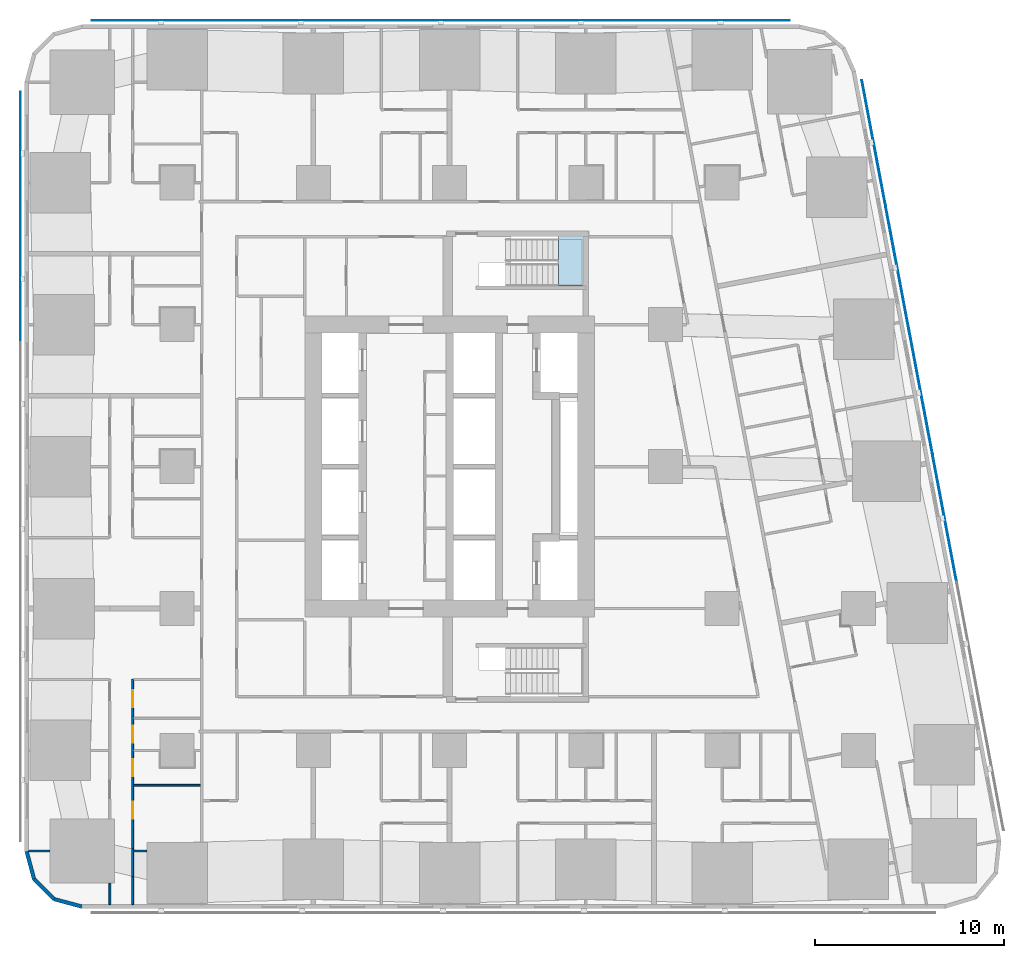
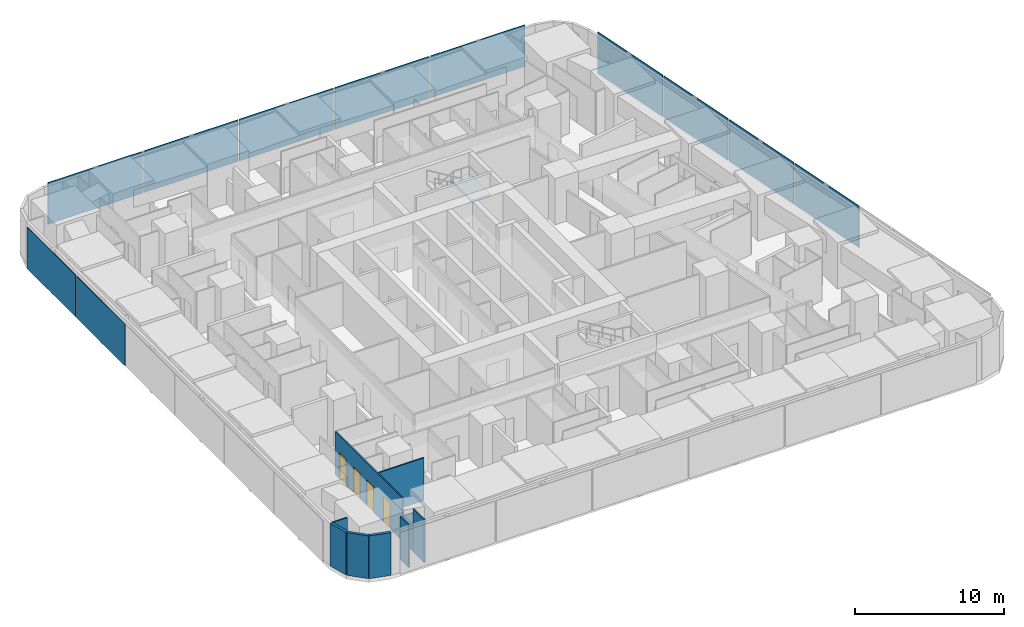
# One storey, part 2 of 18: 11 plates, 10 walls, 4 doors, 1 slab, 4 openings, 1 element without a shape of its own.
"""IFC4 building model written with IfcOpenShell, lengths in metres."""

import ifcopenshell
import ifcopenshell.guid

model = None  # the IFC model being written
_history = None  # IfcOwnerHistory: only IFC2X3 demands one
_inside = {}  # id of a spatial element -> (the spatial element, [elements in it])
_under = {}  # id of a project, library or spatial element -> (it, [spatial elements below it])
_declared = {}  # id of a project -> (the project, [libraries it declares])
_typed = {}  # id of a type object -> (the type object, [elements of that type])
_made_of = {}  # id of a material, layer set ... -> (it, [elements and type objects made of it])


def new_model(schema):
    """Start an empty IFC model of exactly this schema.

    Asked for "IFC4X3", IfcOpenShell would pick the latest addendum, in which some entities
    have other attributes; the version numbers below select the first issue.
    IFC2X3 requires an IfcOwnerHistory on every rooted entity: one is made here for all.
    """
    global model, _history
    if schema == "IFC4X3":
        model = ifcopenshell.file(schema_version=(4, 3, 0, 0))
    else:
        model = ifcopenshell.file(schema=schema)
    _inside.clear()
    _under.clear()
    _declared.clear()
    _typed.clear()
    _made_of.clear()
    _history = None
    if model.schema == "IFC2X3":
        org = make("IfcOrganization", Name="unknown")
        user = make(
            "IfcPersonAndOrganization",
            ThePerson=make("IfcPerson", FamilyName="unknown"),
            TheOrganization=org,
        )
        app = make(
            "IfcApplication",
            ApplicationDeveloper=org,
            Version="unknown",
            ApplicationFullName="unknown",
            ApplicationIdentifier="unknown",
        )
        _history = make(
            "IfcOwnerHistory",
            OwningUser=user,
            OwningApplication=app,
            ChangeAction="ADDED",
            CreationDate=0,
        )
    return model


def make(cls, **values):
    """One entity of the class cls with the attributes given. An attribute that is None is left unset."""
    return model.create_entity(
        cls, **{name: value for name, value in values.items() if value is not None}
    )


def rooted(cls, **values):
    """An entity with a GlobalId (a new one), such as an element, a storey or a relation."""
    return make(cls, GlobalId=ifcopenshell.guid.new(), OwnerHistory=_history, **values)


def si_unit(unit_type, name, prefix=None):
    """IfcSIUnit, for example si_unit("LENGTHUNIT", "METRE", prefix="MILLI")."""
    return make("IfcSIUnit", UnitType=unit_type, Prefix=prefix, Name=name)


def assignment(units):
    """IfcUnitAssignment: the units of a project."""
    return None if units is None else make("IfcUnitAssignment", Units=units)


def point(xyz):
    """IfcCartesianPoint."""
    return None if xyz is None else make("IfcCartesianPoint", Coordinates=xyz)


def direction(xyz):
    """IfcDirection."""
    return None if xyz is None else make("IfcDirection", DirectionRatios=xyz)


def frame(location, z_axis=None, x_axis=None):
    """IfcAxis2Placement3D, a coordinate frame: its origin and axes. An axis left out is left unset."""
    return make(
        "IfcAxis2Placement3D",
        Location=point(location),
        Axis=direction(z_axis),
        RefDirection=direction(x_axis),
    )


def frame_2d(location, x_axis=None):
    """IfcAxis2Placement2D, a coordinate frame in the plane: its origin and x axis."""
    return make(
        "IfcAxis2Placement2D", Location=point(location), RefDirection=direction(x_axis)
    )


def origin():
    """The frame at (0, 0, 0) with its axes left unset."""
    return frame((0.0, 0.0, 0.0))


def origin_2d():
    """The frame at (0, 0) in the plane with its x axis left unset."""
    return frame_2d((0.0, 0.0))


def place(relative_to, where):
    """IfcLocalPlacement: puts the frame where relative to a parent placement (None: the world)."""
    return make(
        "IfcLocalPlacement", PlacementRelTo=relative_to, RelativePlacement=where
    )


def context(
    kind, dimensions, precision=None, world=None, true_north=None, identifier=None
):
    """IfcGeometricRepresentationContext, for example the 3D "Model" context."""
    return make(
        "IfcGeometricRepresentationContext",
        ContextIdentifier=identifier,
        ContextType=kind,
        CoordinateSpaceDimension=dimensions,
        Precision=precision,
        WorldCoordinateSystem=world,
        TrueNorth=true_north,
    )


def subcontext(parent, identifier, kind, view, scale=None):
    """IfcGeometricRepresentationSubContext, for example "Body" below "Model"."""
    return make(
        "IfcGeometricRepresentationSubContext",
        ContextIdentifier=identifier,
        ContextType=kind,
        ParentContext=parent,
        TargetScale=scale,
        TargetView=view,
    )


def project(units=None, contexts=None):
    """IfcProject with its units and contexts."""
    return rooted(
        "IfcProject",
        Name="project",
        RepresentationContexts=contexts,
        UnitsInContext=assignment(units),
    )


def spatial(cls, under=None, at=None, **own):
    """A site, building, storey or space (cls), placed at a placement, below another one or the project."""
    s = rooted(cls, ObjectPlacement=at, **own)
    if under is not None:
        _under.setdefault(under.id(), (under, []))[1].append(s)
    return s


def polyline(points):
    """IfcPolyline through the points."""
    return make("IfcPolyline", Points=[point(p) for p in points])


def profile(cls, at=None, kind="AREA", **sizes):
    """A parametric profile (cls). Its sizes go by their IFC names, for example OverallWidth=200.0."""
    return make(cls, ProfileType=kind, Position=at, **sizes)


def rectangle(**sizes):
    """IfcRectangleProfileDef."""
    return profile("IfcRectangleProfileDef", **sizes)


def outline(outer, holes=None, kind="AREA"):
    """IfcArbitraryClosedProfileDef: a profile drawn as a closed curve; with holes, ...WithVoids."""
    if holes is None:
        return make("IfcArbitraryClosedProfileDef", ProfileType=kind, OuterCurve=outer)
    return make(
        "IfcArbitraryProfileDefWithVoids",
        ProfileType=kind,
        OuterCurve=outer,
        InnerCurves=holes,
    )


def extrude(swept, where, along, depth):
    """IfcExtrudedAreaSolid: the profile swept, set in the frame where, extruded along a direction by depth."""
    return make(
        "IfcExtrudedAreaSolid",
        SweptArea=swept,
        Position=where,
        ExtrudedDirection=direction(along),
        Depth=depth,
    )


def shape(context_of_items, identifier, shape_type, items):
    """IfcShapeRepresentation: the items that make up one representation, for example the "Body"."""
    return make(
        "IfcShapeRepresentation",
        ContextOfItems=context_of_items,
        RepresentationIdentifier=identifier,
        RepresentationType=shape_type,
        Items=items,
    )


def material(Name=None, Category=None):
    """IfcMaterial."""
    return make("IfcMaterial", Name=Name, Category=Category)


def layer(
    of_material, thickness, ventilated=None, Name=None, Category=None, Priority=None
):
    """IfcMaterialLayer: one layer of a wall or slab, of a material (None: an air gap)."""
    return make(
        "IfcMaterialLayer",
        Material=of_material,
        LayerThickness=thickness,
        IsVentilated=ventilated,
        Name=Name,
        Category=Category,
        Priority=Priority,
    )


def layer_set(layers, Name=None):
    """IfcMaterialLayerSet."""
    return make("IfcMaterialLayerSet", MaterialLayers=layers, LayerSetName=Name)


def made_of(thing, what):
    """Note that an element or type object is made of a material, layer set ...; save() writes the relation."""
    if what is not None:
        _made_of.setdefault(what.id(), (what, []))[1].append(thing)
    return thing


def type_object(cls, material=None, **own):
    """A type object (cls), such as IfcWallType, which elements share."""
    return made_of(rooted(cls, **own), material)


def element(
    cls,
    number,
    at=None,
    inside=None,
    cuts=None,
    type_object=None,
    material=None,
    context=None,
    identifier="Body",
    shape_type=None,
    held_by="IfcProductDefinitionShape",
    body=None,
    shapes=None,
    **own,
):
    """One element of the class cls, such as IfcWall. Its Tag is "e" and its number.

    at: its placement. inside: the storey or other place that contains it. cuts: it is an
    opening in that element (IfcRelVoidsElement). A single representation is given by context,
    identifier, shape_type and body (its items); several are given by shapes. held_by: the class
    of the entity that holds the representations. save() writes the other relations.
    """
    e = rooted(cls, Tag="e%d" % number, ObjectPlacement=at, **own)
    if body is not None:
        shapes = [shape(context, identifier, shape_type, body)]
    if shapes is not None:
        e.Representation = make(held_by, Representations=shapes)
    if inside is not None:
        _inside.setdefault(inside.id(), (inside, []))[1].append(e)
    if cuts is not None:
        rooted(
            "IfcRelVoidsElement", RelatingBuildingElement=cuts, RelatedOpeningElement=e
        )
    if type_object is not None:
        _typed.setdefault(type_object.id(), (type_object, []))[1].append(e)
    return made_of(e, material)


def fill(opening, filler):
    """IfcRelFillsElement: the door or window that sits in an opening."""
    return rooted(
        "IfcRelFillsElement",
        RelatingOpeningElement=opening,
        RelatedBuildingElement=filler,
    )


def aggregate(whole, parts):
    """IfcRelAggregates: a whole, such as a stair, and the parts it consists of."""
    return rooted("IfcRelAggregates", RelatingObject=whole, RelatedObjects=parts)


def save(model, path):
    """Write the relations noted so far, then the file.

    IfcRelAggregates (storeys below a building ...), IfcRelContainedInSpatialStructure (elements
    in a storey), IfcRelDefinesByType, IfcRelAssociatesMaterial and IfcRelDeclares: one each for
    every whole, place, type object, material and project.
    """
    for whole, parts in _under.values():
        aggregate(whole, parts)
    for where, things in _inside.values():
        rooted(
            "IfcRelContainedInSpatialStructure",
            RelatedElements=things,
            RelatingStructure=where,
        )
    for kind, things in _typed.values():
        rooted("IfcRelDefinesByType", RelatedObjects=things, RelatingType=kind)
    for what, things in _made_of.values():
        rooted("IfcRelAssociatesMaterial", RelatedObjects=things, RelatingMaterial=what)
    for by, libraries in _declared.values():
        rooted("IfcRelDeclares", RelatingContext=by, RelatedDefinitions=libraries)
    model.write(path)


model = new_model("IFC4")

# Units and contexts
model_context = context("Model", 3, precision=1e-05, world=origin(), true_north=direction((0.0, 1.0)))
body_context = subcontext(model_context, "Body", "Model", "MODEL_VIEW")
ifc_project = project(units=[si_unit("LENGTHUNIT", "METRE"), si_unit("AREAUNIT", "SQUARE_METRE"), si_unit("VOLUMEUNIT", "CUBIC_METRE"), si_unit("PLANEANGLEUNIT", "RADIAN"), si_unit("MASSUNIT", "GRAM", prefix="KILO")], contexts=[model_context])

# Site, building, storey
site_placement = place(None, origin())
site = spatial("IfcSite", under=ifc_project, at=site_placement, CompositionType="ELEMENT")
building_placement = place(site_placement, origin())
building = spatial("IfcBuilding", under=site, at=building_placement, Name="Sheger Commons Tower", CompositionType="ELEMENT")
storey_placement = place(building_placement, frame((0.0, 0.0, 20.0)))
storey = spatial("IfcBuildingStorey", under=building, at=storey_placement, Name="L04", CompositionType="ELEMENT", Elevation=20.0)

# Plates
ifc_material_1 = material(Name="Perforated black anodised aluminium screen", Category="aluminium")
ifc_layer_1 = layer(ifc_material_1, 0.050048828125)
ifc_layer_set_1 = layer_set([ifc_layer_1], Name="SOLAR SCREEN SCREEN-1")
plate_type = type_object("IfcPlateType", Name="SOLAR SCREEN SCREEN-1", PredefinedType="USERDEFINED", material=ifc_layer_set_1)
for number, where, z_axis, x_axis, name in (
    (1, (47.756103515625, 19.7890625, 0.050048828125), (0.0, 0.0, 1.0), (-0.185615165645, 0.982622516678, 0.0), "Perforated solar screen panel"),
    (2, (46.506103515625, 26.408935546875, 0.050048828125), (0.0, 0.0, 1.0), (-0.185615165645, 0.982622516678, 0.0), "Perforated solar screen panel"),
    (3, (45.2548828125, 33.028076171875, 0.050048828125), (0.0, 0.0, 1.0), (-0.185615165645, 0.982622516678, 0.0), "Perforated solar screen panel"),
    (4, (44.0048828125, 39.64794921875, 0.050048828125), (0.0, 0.0, 1.0), (-0.185615165645, 0.982622516678, 0.0), "Perforated solar screen panel"),
):
    element("IfcPlate", number, at=place(storey_placement, frame(where, z_axis=z_axis, x_axis=x_axis)), inside=storey, type_object=plate_type, Name=name, ObjectType="SCREEN", PredefinedType="USERDEFINED", context=body_context, shape_type="SweptSolid", body=[
        extrude(rectangle(XDim=6.636962890625, YDim=0.050048828125, at=origin_2d()), origin(), (0.0, 0.0, 1.0), 3.39990234375),
    ])
for number, where, z_axis, x_axis, name in (
    (5, (35.9208984375, 46.074951171875, 0.050048828125), (0.0, 0.0, 1.0), (-1.0, 0.0, 0.0), "Perforated solar screen panel"),
    (6, (28.528076171875, 46.074951171875, 0.050048828125), (0.0, 0.0, 1.0), (-1.0, 0.0, 0.0), "Perforated solar screen panel"),
    (7, (21.134033203125, 46.074951171875, 0.050048828125), (0.0, 0.0, 1.0), (-1.0, 0.0, 0.0), "Perforated solar screen panel"),
    (8, (13.739990234375, 46.074951171875, 0.050048828125), (0.0, 0.0, 1.0), (-1.0, 0.0, 0.0), "Perforated solar screen panel"),
    (9, (6.346923828125, 46.074951171875, 0.050048828125), (0.0, 0.0, 1.0), (-1.0, 0.0, 0.0), "Perforated solar screen panel"),
):
    element("IfcPlate", number, at=place(storey_placement, frame(where, z_axis=z_axis, x_axis=x_axis)), inside=storey, type_object=plate_type, Name=name, ObjectType="SCREEN", PredefinedType="USERDEFINED", context=body_context, shape_type="SweptSolid", body=[
        extrude(rectangle(XDim=7.2939453125, YDim=0.050048828125, at=origin_2d()), origin(), (0.0, 0.0, 1.0), 3.39990234375),
    ])
for number, where, z_axis, x_axis, name in (
    (10, (-1.074951171875, 39.0419921875, 0.050048828125), (0.0, 0.0, 1.0), (0.0, -1.0, 0.0), "Perforated solar screen panel"),
    (11, (-1.074951171875, 32.425048828125, 0.050048828125), (0.0, 0.0, 1.0), (0.0, -1.0, 0.0), "Perforated solar screen panel"),
):
    element("IfcPlate", number, at=place(storey_placement, frame(where, z_axis=z_axis, x_axis=x_axis)), inside=storey, type_object=plate_type, Name=name, ObjectType="SCREEN", PredefinedType="USERDEFINED", context=body_context, shape_type="SweptSolid", body=[
        extrude(rectangle(XDim=6.51708984375, YDim=0.050048828125, at=origin_2d()), origin(), (0.0, 0.0, 1.0), 3.39990234375),
    ])

# Stair, slab
ifc_material_2 = material(Name="Concrete C35/45", Category="concrete")
stair_type = type_object("IfcStairType", Name="HALF-TURN STAIR 1200 RISE 3750", PredefinedType="HALF_TURN_STAIR", material=ifc_material_2)
stair_placement = place(storey_placement, origin())
stair = element("IfcStair", 12, at=stair_placement, inside=storey, type_object=stair_type, Name="Stair S2 L04", PredefinedType="HALF_TURN_STAIR")
ifc_material_3 = material(Name="Concrete C35/45", Category="concrete")
ifc_layer_2 = layer(ifc_material_3, 0.199951171875)
ifc_layer_set_2 = layer_set([ifc_layer_2], Name="STAIR LANDING 200")
slab_type = type_object("IfcSlabType", Name="STAIR LANDING 200", PredefinedType="LANDING", material=ifc_layer_set_2)
slab_placement = place(storey_placement, frame((0.0, 0.0, 1.675048828125)))
slab = element("IfcSlab", 13, at=slab_placement, type_object=slab_type, Name="S2 landing 1", PredefinedType="LANDING", context=body_context, shape_type="SweptSolid", body=[
    extrude(outline(polyline([(27.35009765625, 32.050048828125), (28.800048828125, 32.050048828125), (28.800048828125, 34.800048828125), (27.35009765625, 34.800048828125), (27.35009765625, 32.050048828125)])), origin(), (0.0, 0.0, 1.0), 0.199951171875),
])
aggregate(stair, [slab])

# Walls
ifc_material_4 = material(Name="Rendered concrete block masonry, dark grey", Category="masonry")
ifc_layer_3 = layer(ifc_material_4, 0.199951171875)
ifc_layer_set_3 = layer_set([ifc_layer_3], Name="FACADE WALL 200")
wall_type_1 = type_object("IfcWallType", Name="FACADE WALL 200", PredefinedType="SOLIDWALL", material=ifc_layer_set_3)
wall_1_placement = place(storey_placement, frame((-0.75, 2.1630859375, 0.0), z_axis=(0.0, 0.0, 1.0), x_axis=(0.259168954497, -0.965832000415, 0.0)))
element("IfcWall", 14, at=wall_1_placement, inside=storey, type_object=wall_type_1, Name="Facade wall L04", PredefinedType="SOLIDWALL", context=body_context, shape_type="SweptSolid", body=[
    extrude(rectangle(XDim=1.512939453125, YDim=0.199951171875, at=frame_2d((0.75634765625, 0.0))), origin(), (0.0, 0.0, 1.0), 3.5),
])
wall_2_placement = place(storey_placement, frame((-0.35791015625, 0.701904296875, 0.0), z_axis=(0.0, 0.0, 1.0), x_axis=(0.707106781187, -0.707106781187, 0.0)))
element("IfcWall", 15, at=wall_2_placement, inside=storey, type_object=wall_type_1, Name="Facade wall L04", PredefinedType="SOLIDWALL", context=body_context, shape_type="SweptSolid", body=[
    extrude(rectangle(XDim=1.498779296875, YDim=0.199951171875, at=frame_2d((0.74951171875, 0.0))), origin(), (0.0, 0.0, 1.0), 3.5),
])
wall_3_placement = place(storey_placement, frame((0.701904296875, -0.35791015625, 0.0), z_axis=(0.0, 0.0, 1.0), x_axis=(0.965832000415, -0.259168954497, 0.0)))
element("IfcWall", 16, at=wall_3_placement, inside=storey, type_object=wall_type_1, Name="Facade wall L04", PredefinedType="SOLIDWALL", context=body_context, shape_type="SweptSolid", body=[
    extrude(rectangle(XDim=1.512939453125, YDim=0.199951171875, at=frame_2d((0.75634765625, 0.0))), origin(), (0.0, 0.0, 1.0), 3.5),
])
ifc_material_5 = material(Name="Gypsum board on steel studs", Category="steel")
ifc_layer_4 = layer(ifc_material_5, 0.10009765625)
ifc_layer_set_4 = layer_set([ifc_layer_4], Name="PARTITION 100")
wall_type_2 = type_object("IfcWallType", Name="PARTITION 100", PredefinedType="PARTITIONING", material=ifc_layer_set_4)
wall_4_placement = place(storey_placement, frame((3.64990234375, -0.64990234375, 0.0), z_axis=(0.0, 0.0, 1.0), x_axis=(0.0, 1.0, 0.0)))
element("IfcWall", 17, at=wall_4_placement, inside=storey, type_object=wall_type_2, Name="Partition L04", PredefinedType="PARTITIONING", context=body_context, shape_type="SweptSolid", body=[
    extrude(rectangle(XDim=1.135009765625, YDim=0.10009765625, at=frame_2d((0.5673828125, 0.0))), origin(), (0.0, 0.0, 1.0), 3.5),
])
wall_5_placement = place(storey_placement, frame((4.85009765625, -0.64990234375, 0.0), z_axis=(0.0, 0.0, 1.0), x_axis=(0.0, 1.0, 0.0)))
element("IfcWall", 18, at=wall_5_placement, inside=storey, type_object=wall_type_2, Name="Partition L04", PredefinedType="PARTITIONING", context=body_context, shape_type="SweptSolid", body=[
    extrude(rectangle(XDim=1.489013671875, YDim=0.10009765625, at=frame_2d((0.74462890625, 0.0))), origin(), (0.0, 0.0, 1.0), 3.5),
])
wall_6_placement = place(storey_placement, frame((4.85009765625, 0.839111328125, 0.0), z_axis=(0.0, 0.0, 1.0), x_axis=(0.0, 1.0, 0.0)))
element("IfcWall", 19, at=wall_6_placement, inside=storey, type_object=wall_type_2, Name="Partition L04", PredefinedType="PARTITIONING", context=body_context, shape_type="SweptSolid", body=[
    extrude(rectangle(XDim=1.4599609375, YDim=0.10009765625, at=frame_2d((0.72998046875, 0.0))), origin(), (0.0, 0.0, 1.0), 2.10009765625),
])

# Wall, openings, doors
wall_7_placement = place(storey_placement, frame((4.85009765625, 2.299072265625, 0.0), z_axis=(0.0, 0.0, 1.0), x_axis=(0.0, 1.0, 0.0)))
wall_7 = element("IfcWall", 20, at=wall_7_placement, inside=storey, type_object=wall_type_2, Name="Partition L04", PredefinedType="PARTITIONING", context=body_context, shape_type="SweptSolid", body=[
    extrude(rectangle(XDim=8.950927734375, YDim=0.10009765625, at=frame_2d((4.4755859375, 0.0))), origin(), (0.0, 0.0, 1.0), 3.5),
])
opening_1_placement = place(wall_7_placement, frame((7.47607421875, 0.0, 0.0)))
opening_1 = element("IfcOpeningElement", 21, at=opening_1_placement, cuts=wall_7, Name="Opening D2", PredefinedType="OPENING", context=body_context, shape_type="SweptSolid", body=[
    extrude(rectangle(XDim=0.89990234375, YDim=2.10009765625, at=frame_2d((0.449951171875, 1.050048828125))), frame((0.0, 0.06005859375, 0.0), z_axis=(0.0, -1.0, 0.0), x_axis=(1.0, 0.0, 0.0)), (0.0, 0.0, 1.0), 0.1201171875),
])
opening_2_placement = place(wall_7_placement, frame((3.8310546875, 0.0, 0.0)))
opening_2 = element("IfcOpeningElement", 22, at=opening_2_placement, cuts=wall_7, Name="Opening D2", PredefinedType="OPENING", context=body_context, shape_type="SweptSolid", body=[
    extrude(rectangle(XDim=0.89990234375, YDim=2.10009765625, at=frame_2d((0.449951171875, 1.050048828125))), frame((0.0, 0.06005859375, 0.0), z_axis=(0.0, -1.0, 0.0), x_axis=(1.0, 0.0, 0.0)), (0.0, 0.0, 1.0), 0.1201171875),
])
opening_3_placement = place(wall_7_placement, frame((5.60107421875, 0.0, 0.0)))
opening_3 = element("IfcOpeningElement", 23, at=opening_3_placement, cuts=wall_7, Name="Opening D2", PredefinedType="OPENING", context=body_context, shape_type="SweptSolid", body=[
    extrude(rectangle(XDim=0.89990234375, YDim=2.10009765625, at=frame_2d((0.449951171875, 1.050048828125))), frame((0.0, 0.06005859375, 0.0), z_axis=(0.0, -1.0, 0.0), x_axis=(1.0, 0.0, 0.0)), (0.0, 0.0, 1.0), 0.1201171875),
])
opening_4_placement = place(wall_7_placement, frame((1.60009765625, 0.0, 0.0)))
opening_4 = element("IfcOpeningElement", 24, at=opening_4_placement, cuts=wall_7, Name="Opening D2", PredefinedType="OPENING", context=body_context, shape_type="SweptSolid", body=[
    extrude(rectangle(XDim=0.89990234375, YDim=2.10009765625, at=frame_2d((0.449951171875, 1.050048828125))), frame((0.0, 0.06005859375, 0.0), z_axis=(0.0, -1.0, 0.0), x_axis=(1.0, 0.0, 0.0)), (0.0, 0.0, 1.0), 0.1201171875),
])
ifc_material_6 = material(Name="Timber door set", Category="wood")
door_type = type_object("IfcDoorType", Name="INTERNAL DOOR 900x2100", OperationType="NOTDEFINED", PredefinedType="DOOR", material=ifc_material_6)
door_1_placement = place(opening_1_placement, origin())
door_1 = element("IfcDoor", 25, at=door_1_placement, inside=storey, type_object=door_type, Name="Bathroom door", OperationType="SINGLE_SWING_LEFT", OverallHeight=2.10009765625, OverallWidth=0.89990234375, PredefinedType="DOOR", context=body_context, shape_type="SweptSolid", body=[
    extrude(rectangle(XDim=0.89990234375, YDim=2.10009765625, at=frame_2d((0.449951171875, 1.050048828125))), frame((0.0, 0.02490234375, 0.0), z_axis=(0.0, -1.0, 0.0), x_axis=(1.0, 0.0, 0.0)), (0.0, 0.0, 1.0), 0.050048828125),
])
fill(opening_1, door_1)
door_2_placement = place(opening_2_placement, origin())
door_2 = element("IfcDoor", 26, at=door_2_placement, inside=storey, type_object=door_type, Name="Laundry room door", OperationType="SINGLE_SWING_RIGHT", OverallHeight=2.10009765625, OverallWidth=0.89990234375, PredefinedType="DOOR", context=body_context, shape_type="SweptSolid", body=[
    extrude(rectangle(XDim=0.89990234375, YDim=2.10009765625, at=frame_2d((0.449951171875, 1.050048828125))), frame((0.0, 0.02490234375, 0.0), z_axis=(0.0, -1.0, 0.0), x_axis=(1.0, 0.0, 0.0)), (0.0, 0.0, 1.0), 0.050048828125),
])
fill(opening_2, door_2)
door_3_placement = place(opening_3_placement, origin())
door_3 = element("IfcDoor", 27, at=door_3_placement, inside=storey, type_object=door_type, Name="Store door", OperationType="SINGLE_SWING_RIGHT", OverallHeight=2.10009765625, OverallWidth=0.89990234375, PredefinedType="DOOR", context=body_context, shape_type="SweptSolid", body=[
    extrude(rectangle(XDim=0.89990234375, YDim=2.10009765625, at=frame_2d((0.449951171875, 1.050048828125))), frame((0.0, 0.02490234375, 0.0), z_axis=(0.0, -1.0, 0.0), x_axis=(1.0, 0.0, 0.0)), (0.0, 0.0, 1.0), 0.050048828125),
])
fill(opening_3, door_3)
door_4_placement = place(opening_4_placement, origin())
door_4 = element("IfcDoor", 28, at=door_4_placement, inside=storey, type_object=door_type, Name="Store door", OperationType="SINGLE_SWING_LEFT", OverallHeight=2.10009765625, OverallWidth=0.89990234375, PredefinedType="DOOR", context=body_context, shape_type="SweptSolid", body=[
    extrude(rectangle(XDim=0.89990234375, YDim=2.10009765625, at=frame_2d((0.449951171875, 1.050048828125))), frame((0.0, 0.02490234375, 0.0), z_axis=(0.0, -1.0, 0.0), x_axis=(1.0, 0.0, 0.0)), (0.0, 0.0, 1.0), 0.050048828125),
])
fill(opening_4, door_4)

# Walls
wall_8_placement = place(storey_placement, frame((-0.64990234375, 2.18603515625, 0.0), z_axis=(0.0, 0.0, 1.0), x_axis=(1.0, 0.0, 0.0)))
element("IfcWall", 29, at=wall_8_placement, inside=storey, type_object=wall_type_2, Name="Partition L04", PredefinedType="PARTITIONING", context=body_context, shape_type="SweptSolid", body=[
    extrude(rectangle(XDim=1.135009765625, YDim=0.10009765625, at=frame_2d((0.5673828125, 0.0))), origin(), (0.0, 0.0, 1.0), 3.5),
])
wall_9_placement = place(storey_placement, frame((4.89990234375, 2.18603515625, 0.0), z_axis=(0.0, 0.0, 1.0), x_axis=(1.0, 0.0, 0.0)))
element("IfcWall", 30, at=wall_9_placement, inside=storey, type_object=wall_type_2, Name="Partition L04", PredefinedType="PARTITIONING", context=body_context, shape_type="SweptSolid", body=[
    extrude(rectangle(XDim=0.69921875, YDim=0.10009765625, at=frame_2d((0.349609375, 0.0))), origin(), (0.0, 0.0, 1.0), 2.10009765625),
])
wall_10_placement = place(storey_placement, frame((4.89990234375, 5.659912109375, 0.0), z_axis=(0.0, 0.0, 1.0), x_axis=(1.0, 0.0, 0.0)))
element("IfcWall", 31, at=wall_10_placement, inside=storey, type_object=wall_type_2, Name="Partition L04", PredefinedType="PARTITIONING", context=body_context, shape_type="SweptSolid", body=[
    extrude(rectangle(XDim=3.525146484375, YDim=0.10009765625, at=frame_2d((1.7626953125, 0.0))), origin(), (0.0, 0.0, 1.0), 3.5),
])

save(model, "model.ifc")
